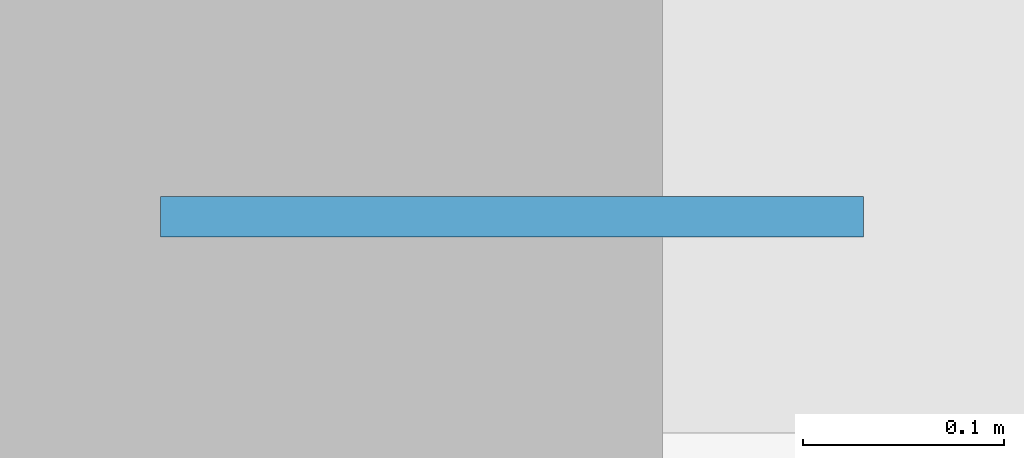
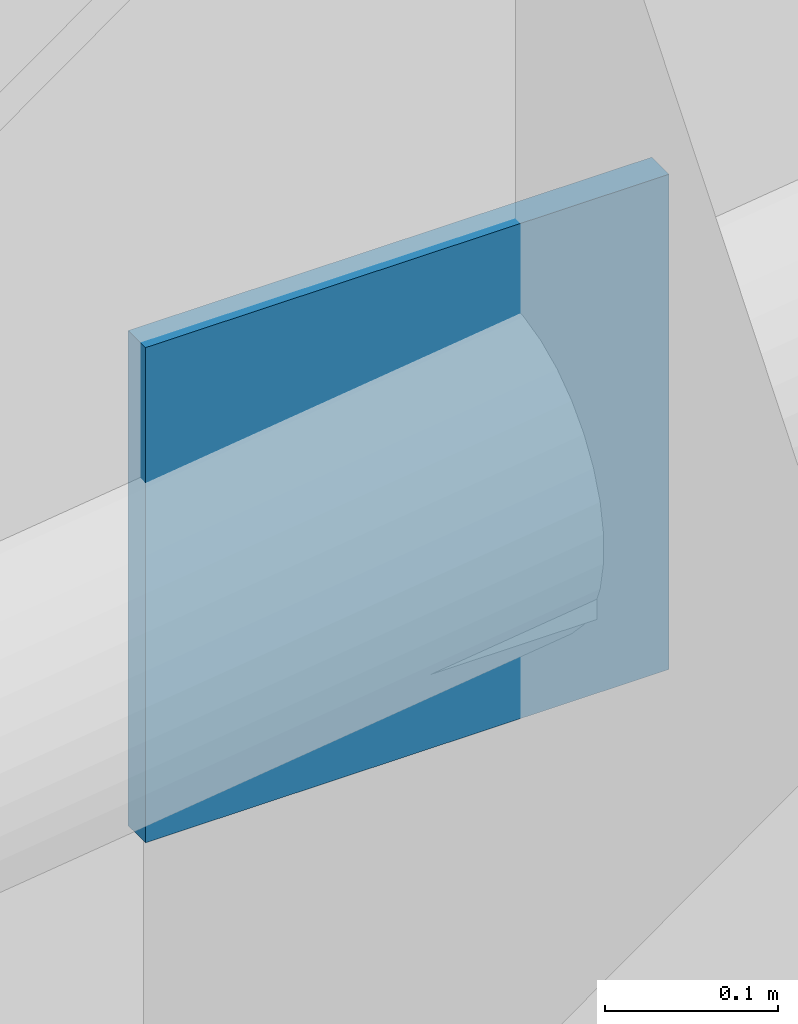
# One storey, part 75 of 117: 1 plate.
"""IFC4 building model written with IfcOpenShell, lengths in metres."""

import ifcopenshell
import ifcopenshell.guid

model = None  # the IFC model being written
_history = None  # IfcOwnerHistory: only IFC2X3 demands one
_inside = {}  # id of a spatial element -> (the spatial element, [elements in it])
_under = {}  # id of a project, library or spatial element -> (it, [spatial elements below it])
_declared = {}  # id of a project -> (the project, [libraries it declares])
_typed = {}  # id of a type object -> (the type object, [elements of that type])
_made_of = {}  # id of a material, layer set ... -> (it, [elements and type objects made of it])


def new_model(schema):
    """Start an empty IFC model of exactly this schema.

    Asked for "IFC4X3", IfcOpenShell would pick the latest addendum, in which some entities
    have other attributes; the version numbers below select the first issue.
    IFC2X3 requires an IfcOwnerHistory on every rooted entity: one is made here for all.
    """
    global model, _history
    if schema == "IFC4X3":
        model = ifcopenshell.file(schema_version=(4, 3, 0, 0))
    else:
        model = ifcopenshell.file(schema=schema)
    _inside.clear()
    _under.clear()
    _declared.clear()
    _typed.clear()
    _made_of.clear()
    _history = None
    if model.schema == "IFC2X3":
        org = make("IfcOrganization", Name="unknown")
        user = make(
            "IfcPersonAndOrganization",
            ThePerson=make("IfcPerson", FamilyName="unknown"),
            TheOrganization=org,
        )
        app = make(
            "IfcApplication",
            ApplicationDeveloper=org,
            Version="unknown",
            ApplicationFullName="unknown",
            ApplicationIdentifier="unknown",
        )
        _history = make(
            "IfcOwnerHistory",
            OwningUser=user,
            OwningApplication=app,
            ChangeAction="ADDED",
            CreationDate=0,
        )
    return model


def make(cls, **values):
    """One entity of the class cls with the attributes given. An attribute that is None is left unset."""
    return model.create_entity(
        cls, **{name: value for name, value in values.items() if value is not None}
    )


def rooted(cls, **values):
    """An entity with a GlobalId (a new one), such as an element, a storey or a relation."""
    return make(cls, GlobalId=ifcopenshell.guid.new(), OwnerHistory=_history, **values)


def si_unit(unit_type, name, prefix=None):
    """IfcSIUnit, for example si_unit("LENGTHUNIT", "METRE", prefix="MILLI")."""
    return make("IfcSIUnit", UnitType=unit_type, Prefix=prefix, Name=name)


def assignment(units):
    """IfcUnitAssignment: the units of a project."""
    return None if units is None else make("IfcUnitAssignment", Units=units)


def point(xyz):
    """IfcCartesianPoint."""
    return None if xyz is None else make("IfcCartesianPoint", Coordinates=xyz)


def direction(xyz):
    """IfcDirection."""
    return None if xyz is None else make("IfcDirection", DirectionRatios=xyz)


def frame(location, z_axis=None, x_axis=None):
    """IfcAxis2Placement3D, a coordinate frame: its origin and axes. An axis left out is left unset."""
    return make(
        "IfcAxis2Placement3D",
        Location=point(location),
        Axis=direction(z_axis),
        RefDirection=direction(x_axis),
    )


def frame_2d(location, x_axis=None):
    """IfcAxis2Placement2D, a coordinate frame in the plane: its origin and x axis."""
    return make(
        "IfcAxis2Placement2D", Location=point(location), RefDirection=direction(x_axis)
    )


def origin():
    """The frame at (0, 0, 0) with its axes left unset."""
    return frame((0.0, 0.0, 0.0))


def origin_2d():
    """The frame at (0, 0) in the plane with its x axis left unset."""
    return frame_2d((0.0, 0.0))


def place(relative_to, where):
    """IfcLocalPlacement: puts the frame where relative to a parent placement (None: the world)."""
    return make(
        "IfcLocalPlacement", PlacementRelTo=relative_to, RelativePlacement=where
    )


def context(
    kind, dimensions, precision=None, world=None, true_north=None, identifier=None
):
    """IfcGeometricRepresentationContext, for example the 3D "Model" context."""
    return make(
        "IfcGeometricRepresentationContext",
        ContextIdentifier=identifier,
        ContextType=kind,
        CoordinateSpaceDimension=dimensions,
        Precision=precision,
        WorldCoordinateSystem=world,
        TrueNorth=true_north,
    )


def subcontext(parent, identifier, kind, view, scale=None):
    """IfcGeometricRepresentationSubContext, for example "Body" below "Model"."""
    return make(
        "IfcGeometricRepresentationSubContext",
        ContextIdentifier=identifier,
        ContextType=kind,
        ParentContext=parent,
        TargetScale=scale,
        TargetView=view,
    )


def project(units=None, contexts=None):
    """IfcProject with its units and contexts."""
    return rooted(
        "IfcProject",
        Name="project",
        RepresentationContexts=contexts,
        UnitsInContext=assignment(units),
    )


def spatial(cls, under=None, at=None, **own):
    """A site, building, storey or space (cls), placed at a placement, below another one or the project."""
    s = rooted(cls, ObjectPlacement=at, **own)
    if under is not None:
        _under.setdefault(under.id(), (under, []))[1].append(s)
    return s


def profile(cls, at=None, kind="AREA", **sizes):
    """A parametric profile (cls). Its sizes go by their IFC names, for example OverallWidth=200.0."""
    return make(cls, ProfileType=kind, Position=at, **sizes)


def rectangle(**sizes):
    """IfcRectangleProfileDef."""
    return profile("IfcRectangleProfileDef", **sizes)


def extrude(swept, where, along, depth):
    """IfcExtrudedAreaSolid: the profile swept, set in the frame where, extruded along a direction by depth."""
    return make(
        "IfcExtrudedAreaSolid",
        SweptArea=swept,
        Position=where,
        ExtrudedDirection=direction(along),
        Depth=depth,
    )


def shape(context_of_items, identifier, shape_type, items):
    """IfcShapeRepresentation: the items that make up one representation, for example the "Body"."""
    return make(
        "IfcShapeRepresentation",
        ContextOfItems=context_of_items,
        RepresentationIdentifier=identifier,
        RepresentationType=shape_type,
        Items=items,
    )


def material(Name=None, Category=None):
    """IfcMaterial."""
    return make("IfcMaterial", Name=Name, Category=Category)


def layer(
    of_material, thickness, ventilated=None, Name=None, Category=None, Priority=None
):
    """IfcMaterialLayer: one layer of a wall or slab, of a material (None: an air gap)."""
    return make(
        "IfcMaterialLayer",
        Material=of_material,
        LayerThickness=thickness,
        IsVentilated=ventilated,
        Name=Name,
        Category=Category,
        Priority=Priority,
    )


def layer_set(layers, Name=None):
    """IfcMaterialLayerSet."""
    return make("IfcMaterialLayerSet", MaterialLayers=layers, LayerSetName=Name)


def made_of(thing, what):
    """Note that an element or type object is made of a material, layer set ...; save() writes the relation."""
    if what is not None:
        _made_of.setdefault(what.id(), (what, []))[1].append(thing)
    return thing


def type_object(cls, material=None, **own):
    """A type object (cls), such as IfcWallType, which elements share."""
    return made_of(rooted(cls, **own), material)


def element(
    cls,
    number,
    at=None,
    inside=None,
    cuts=None,
    type_object=None,
    material=None,
    context=None,
    identifier="Body",
    shape_type=None,
    held_by="IfcProductDefinitionShape",
    body=None,
    shapes=None,
    **own,
):
    """One element of the class cls, such as IfcWall. Its Tag is "e" and its number.

    at: its placement. inside: the storey or other place that contains it. cuts: it is an
    opening in that element (IfcRelVoidsElement). A single representation is given by context,
    identifier, shape_type and body (its items); several are given by shapes. held_by: the class
    of the entity that holds the representations. save() writes the other relations.
    """
    e = rooted(cls, Tag="e%d" % number, ObjectPlacement=at, **own)
    if body is not None:
        shapes = [shape(context, identifier, shape_type, body)]
    if shapes is not None:
        e.Representation = make(held_by, Representations=shapes)
    if inside is not None:
        _inside.setdefault(inside.id(), (inside, []))[1].append(e)
    if cuts is not None:
        rooted(
            "IfcRelVoidsElement", RelatingBuildingElement=cuts, RelatedOpeningElement=e
        )
    if type_object is not None:
        _typed.setdefault(type_object.id(), (type_object, []))[1].append(e)
    return made_of(e, material)


def aggregate(whole, parts):
    """IfcRelAggregates: a whole, such as a stair, and the parts it consists of."""
    return rooted("IfcRelAggregates", RelatingObject=whole, RelatedObjects=parts)


def save(model, path):
    """Write the relations noted so far, then the file.

    IfcRelAggregates (storeys below a building ...), IfcRelContainedInSpatialStructure (elements
    in a storey), IfcRelDefinesByType, IfcRelAssociatesMaterial and IfcRelDeclares: one each for
    every whole, place, type object, material and project.
    """
    for whole, parts in _under.values():
        aggregate(whole, parts)
    for where, things in _inside.values():
        rooted(
            "IfcRelContainedInSpatialStructure",
            RelatedElements=things,
            RelatingStructure=where,
        )
    for kind, things in _typed.values():
        rooted("IfcRelDefinesByType", RelatedObjects=things, RelatingType=kind)
    for what, things in _made_of.values():
        rooted("IfcRelAssociatesMaterial", RelatedObjects=things, RelatingMaterial=what)
    for by, libraries in _declared.values():
        rooted("IfcRelDeclares", RelatingContext=by, RelatedDefinitions=libraries)
    model.write(path)


model = new_model("IFC4")

# Units and contexts
model_context = context("Model", 3, precision=1e-05, world=origin(), true_north=direction((0.0, 1.0)))
body_context = subcontext(model_context, "Body", "Model", "MODEL_VIEW")
ifc_project = project(units=[si_unit("LENGTHUNIT", "METRE"), si_unit("AREAUNIT", "SQUARE_METRE"), si_unit("VOLUMEUNIT", "CUBIC_METRE"), si_unit("PLANEANGLEUNIT", "RADIAN"), si_unit("MASSUNIT", "GRAM", prefix="KILO")], contexts=[model_context])

# Site, building, storey
site_placement = place(None, origin())
site = spatial("IfcSite", under=ifc_project, at=site_placement, CompositionType="ELEMENT")
building_placement = place(site_placement, origin())
building = spatial("IfcBuilding", under=site, at=building_placement, Name="Kamomehara Wholesale Market", CompositionType="ELEMENT")
storey_placement = place(building_placement, origin())
storey = spatial("IfcBuildingStorey", under=building, at=storey_placement, Name="L00", CompositionType="ELEMENT", Elevation=0.0)

# Plate
ifc_material = material(Name="Steel SN490B", Category="steel")
ifc_layer = layer(ifc_material, 0.02001953125)
ifc_layer_set = layer_set([ifc_layer], Name="Steel SN490B")
plate_type = type_object("IfcPlateType", Name="PLT-GUS-20", PredefinedType="USERDEFINED", material=ifc_layer_set)
plate_placement = place(storey_placement, frame((36.35009765625, 96.0, 3.52490234375), z_axis=(0.0, 0.0, 1.0), x_axis=(1.0, 0.0, 0.0)))
element("IfcPlate", 1, at=plate_placement, inside=storey, type_object=plate_type, Name="Canopy brace gusset plate V3 96", ObjectType="GUSSET PLATE", PredefinedType="USERDEFINED", context=body_context, shape_type="SweptSolid", body=[
    extrude(rectangle(XDim=0.35009765625, YDim=0.02001953125, at=origin_2d()), origin(), (0.0, 0.0, 1.0), 0.35009765625),
])

save(model, "model.ifc")
